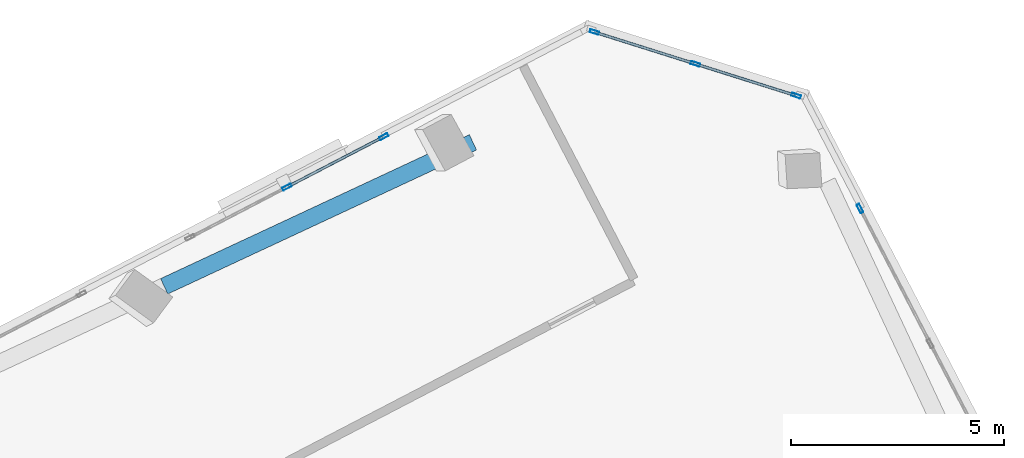
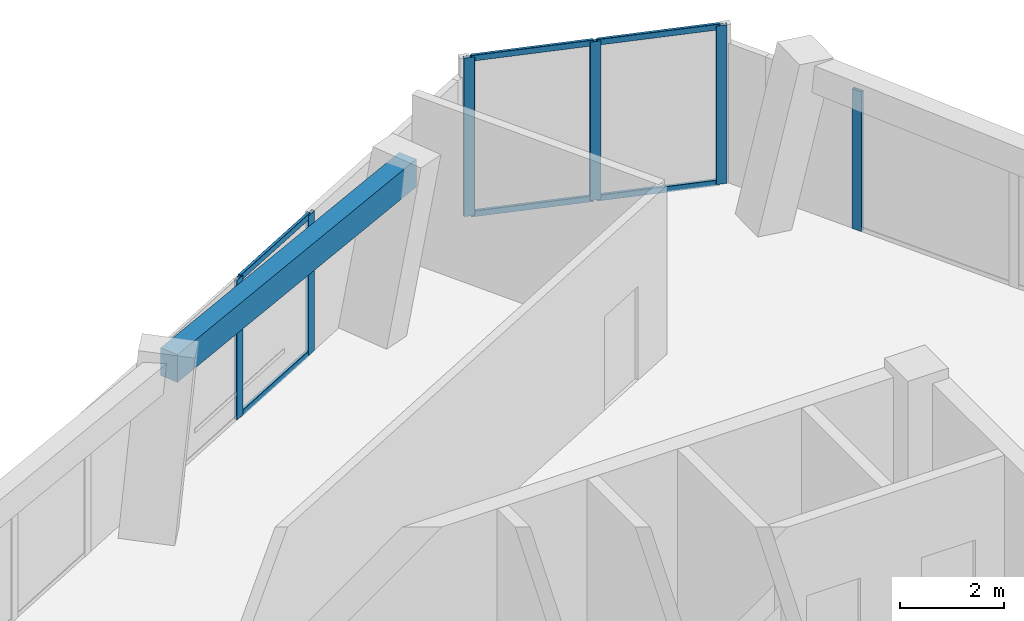
# One storey, part 9 of 16: 12 members, 1 beam, 3 elements without a shape of their own.
"""IFC4 building model written with IfcOpenShell, lengths in metres."""

from ifc_helpers import new_model, si_unit, direction, frame, origin, origin_2d, place, context, subcontext, project, spatial, rectangle, hollow_rectangle, extrude, source, transform, mapped, material, material_profile, profile_set, type_object, element, aggregate, save


model = new_model("IFC4")

# Units and contexts
model_context = context("Model", 3, precision=1e-05, world=origin(), true_north=direction((0.0, 1.0)))
body_context = subcontext(model_context, "Body", "Model", "MODEL_VIEW")
ifc_project = project(units=[si_unit("LENGTHUNIT", "METRE"), si_unit("AREAUNIT", "SQUARE_METRE"), si_unit("VOLUMEUNIT", "CUBIC_METRE"), si_unit("PLANEANGLEUNIT", "RADIAN"), si_unit("MASSUNIT", "GRAM", prefix="KILO")], contexts=[model_context])

# Site, building, storey
site_placement = place(None, origin())
site = spatial("IfcSite", under=ifc_project, at=site_placement, CompositionType="ELEMENT")
building_placement = place(site_placement, origin())
building = spatial("IfcBuilding", under=site, at=building_placement, Name="Torre Montelarca", CompositionType="ELEMENT")
storey_placement = place(building_placement, frame((0.0, 0.0, 336.60009765625)))
storey = spatial("IfcBuildingStorey", under=building, at=storey_placement, Name="L76", CompositionType="ELEMENT", Elevation=336.60009765625)

# Beam
ifc_material_1 = material(Name="Concrete C40/50", Category="concrete")
ifc_material_profile_1 = material_profile(ifc_material_1, rectangle(XDim=0.39990234375, YDim=0.64990234375, at=origin_2d()), Name="RCB400X650", Category="concrete")
ifc_profile_set_1 = profile_set([ifc_material_profile_1], Name="Concrete C40/50")
beam_type = type_object("IfcBeamType", Name="BM-SP-RC650-EXT", PredefinedType="SPANDREL", material=ifc_profile_set_1)
shared_shape_1 = source(origin(), body_context, "Body", "SweptSolid", [
    extrude(rectangle(XDim=0.39990234375, YDim=0.64990234375, at=origin_2d()), origin(), (0.0, 0.0, 1.0), 8.0),
])
beam_placement = place(storey_placement, frame((14.37890625, 47.271240234375, 3.635009765625), z_axis=(0.906312519031, 0.422608113797, 0.0), x_axis=(-0.422608113797, 0.906312519031, 0.0)))
element("IfcBeam", 1, at=beam_placement, inside=storey, type_object=beam_type, Name="L76 Grid Girder Y 32.0-40.0 at X=4.7", PredefinedType="SPANDREL", context=body_context, shape_type="MappedRepresentation", body=[
    mapped(shared_shape_1, transform((0.0, 0.0, 0.0), scale=1.0)),
])

# Curtain wall, members
ifc_material_2 = material(Name="Insulated low-E laminated glass", Category="glass")
curtain_wall_type = type_object("IfcCurtainWallType", Name="CW-SYS-Z4", PredefinedType="USERDEFINED", material=ifc_material_2)
curtain_wall_1_placement = place(storey_placement, origin())
curtain_wall_1 = element("IfcCurtainWall", 2, at=curtain_wall_1_placement, inside=storey, type_object=curtain_wall_type, Name="L76 Curtain Wall Run CW-T3-L76-E09-B1", ObjectType="UNITISED GLAZING", PredefinedType="USERDEFINED")
ifc_material_3 = material(Name="Anodised aluminium AA 6063-T6", Category="aluminium")
ifc_material_profile_2 = material_profile(ifc_material_3, hollow_rectangle(XDim=0.074951171875, YDim=0.219970703125, WallThickness=0.0048828125, InnerFilletRadius=0.0048828125, OuterFilletRadius=0.010009765625, at=origin_2d()), Name="ALU75X220X5", Category="aluminium")
ifc_profile_set_2 = profile_set([ifc_material_profile_2], Name="Anodised aluminium AA 6063-T6")
member_type_1 = type_object("IfcMemberType", Name="CWM-ALU220", PredefinedType="MULLION", material=ifc_profile_set_2)
shared_shape_2 = source(origin(), body_context, "Body", "SweptSolid", [
    extrude(hollow_rectangle(XDim=0.074951171875, YDim=0.219970703125, WallThickness=0.0048828125, InnerFilletRadius=0.0048828125, OuterFilletRadius=0.010009765625, at=origin_2d()), origin(), (0.0, 0.0, 1.0), 3.719970703125),
])
member_1_placement = place(storey_placement, frame((29.21826171875, 51.7470703125, 0.0), z_axis=(0.0, 0.0, 1.0), x_axis=(-0.300692834013, -0.953721038655, 0.0)))
member_1 = element("IfcMember", 3, at=member_1_placement, type_object=member_type_1, Name="CW mullion 1", PredefinedType="MULLION", context=body_context, shape_type="MappedRepresentation", body=[
    mapped(shared_shape_2, transform((0.0, 0.0, 0.0), scale=1.0)),
])
member_2_placement = place(storey_placement, frame((26.849609375, 52.493896484375, 0.0), z_axis=(0.0, 0.0, 1.0), x_axis=(-0.300692834013, -0.953721038655, 0.0)))
member_2 = element("IfcMember", 4, at=member_2_placement, type_object=member_type_1, Name="CW mullion 2", PredefinedType="MULLION", context=body_context, shape_type="MappedRepresentation", body=[
    mapped(shared_shape_2, transform((0.0, 0.0, 0.0), scale=1.0)),
])
member_3_placement = place(storey_placement, frame((24.48095703125, 53.24072265625, 0.0), z_axis=(0.0, 0.0, 1.0), x_axis=(-0.300692834013, -0.953721038655, 0.0)))
member_3 = element("IfcMember", 5, at=member_3_placement, type_object=member_type_1, Name="CW mullion 3", PredefinedType="MULLION", context=body_context, shape_type="MappedRepresentation", body=[
    mapped(shared_shape_2, transform((0.0, 0.0, 0.0), scale=1.0)),
])
ifc_material_profile_3 = material_profile(ifc_material_3, hollow_rectangle(XDim=0.06494140625, YDim=0.139892578125, WallThickness=0.00390625, InnerFilletRadius=0.00390625, OuterFilletRadius=0.008056640625, at=origin_2d()), Name="ALU65X140X4", Category="aluminium")
ifc_profile_set_3 = profile_set([ifc_material_profile_3], Name="Anodised aluminium AA 6063-T6")
member_type_2 = type_object("IfcMemberType", Name="CWT-ALU140", PredefinedType="USERDEFINED", material=ifc_profile_set_3)
shared_shape_3 = source(origin(), body_context, "Body", "SweptSolid", [
    extrude(hollow_rectangle(XDim=0.06494140625, YDim=0.139892578125, WallThickness=0.00390625, InnerFilletRadius=0.00390625, OuterFilletRadius=0.008056640625, at=origin_2d()), origin(), (0.0, 0.0, 1.0), 2.40869140625),
])
member_4_placement = place(storey_placement, frame((29.1826171875, 51.75830078125, 0.032470703125), z_axis=(-0.953744897791, 0.300617148443, 0.0), x_axis=(-0.300617148443, -0.953744897791, 0.0)))
member_4 = element("IfcMember", 6, at=member_4_placement, type_object=member_type_2, Name="CW transom 1.1", ObjectType="TRANSOM", PredefinedType="USERDEFINED", context=body_context, shape_type="MappedRepresentation", body=[
    mapped(shared_shape_3, transform((0.0, 0.0, 0.0), scale=1.0)),
])
member_5_placement = place(storey_placement, frame((29.1826171875, 51.75830078125, 3.6875), z_axis=(-0.953744897791, 0.300617148443, 0.0), x_axis=(-0.300617148443, -0.953744897791, 0.0)))
member_5 = element("IfcMember", 7, at=member_5_placement, type_object=member_type_2, Name="CW transom 1.2", ObjectType="TRANSOM", PredefinedType="USERDEFINED", context=body_context, shape_type="MappedRepresentation", body=[
    mapped(shared_shape_3, transform((0.0, 0.0, 0.0), scale=1.0)),
])
shared_shape_4 = source(origin(), body_context, "Body", "SweptSolid", [
    extrude(hollow_rectangle(XDim=0.06494140625, YDim=0.139892578125, WallThickness=0.00390625, InnerFilletRadius=0.00390625, OuterFilletRadius=0.008056640625, at=origin_2d()), origin(), (0.0, 0.0, 1.0), 2.408447265625),
])
member_6_placement = place(storey_placement, frame((26.813720703125, 52.505126953125, 0.032470703125), z_axis=(-0.953735736998, 0.300646210642, 0.0), x_axis=(-0.300646210642, -0.953735736998, 0.0)))
member_6 = element("IfcMember", 8, at=member_6_placement, type_object=member_type_2, Name="CW transom 2.1", ObjectType="TRANSOM", PredefinedType="USERDEFINED", context=body_context, shape_type="MappedRepresentation", body=[
    mapped(shared_shape_4, transform((0.0, 0.0, 0.0), scale=1.0)),
])
member_7_placement = place(storey_placement, frame((26.813720703125, 52.505126953125, 3.6875), z_axis=(-0.953735736998, 0.300646210642, 0.0), x_axis=(-0.300646210642, -0.953735736998, 0.0)))
member_7 = element("IfcMember", 9, at=member_7_placement, type_object=member_type_2, Name="CW transom 2.2", ObjectType="TRANSOM", PredefinedType="USERDEFINED", context=body_context, shape_type="MappedRepresentation", body=[
    mapped(shared_shape_4, transform((0.0, 0.0, 0.0), scale=1.0)),
])
aggregate(curtain_wall_1, [member_1, member_2, member_3, member_4, member_5, member_6, member_7])

# Curtain wall, member
curtain_wall_2_placement = place(storey_placement, origin())
curtain_wall_2 = element("IfcCurtainWall", 10, at=curtain_wall_2_placement, inside=storey, type_object=curtain_wall_type, Name="L76 Curtain Wall Run CW-T3-L76-E08-B2", ObjectType="UNITISED GLAZING", PredefinedType="USERDEFINED")
shared_shape_5 = source(origin(), body_context, "Body", "SweptSolid", [
    extrude(hollow_rectangle(XDim=0.074951171875, YDim=0.219970703125, WallThickness=0.0048828125, InnerFilletRadius=0.0048828125, OuterFilletRadius=0.010009765625, at=origin_2d()), origin(), (0.0, 0.0, 1.0), 3.27490234375),
])
member_8_placement = place(storey_placement, frame((30.716796875, 49.097412109375, 0.0), z_axis=(0.0, 0.0, 1.0), x_axis=(-0.887012265498, -0.461745861764, 0.0)))
member_8 = element("IfcMember", 11, at=member_8_placement, type_object=member_type_1, Name="CW mullion 3", PredefinedType="MULLION", context=body_context, shape_type="MappedRepresentation", body=[
    mapped(shared_shape_5, transform((0.0, 0.0, 0.0), scale=1.0)),
])
aggregate(curtain_wall_2, [member_8])

# Curtain wall, members
curtain_wall_3_placement = place(storey_placement, origin())
curtain_wall_3 = element("IfcCurtainWall", 12, at=curtain_wall_3_placement, inside=storey, type_object=curtain_wall_type, Name="L76 Curtain Wall Run CW-T3-L76-E10-B1", ObjectType="UNITISED GLAZING", PredefinedType="USERDEFINED")
member_9_placement = place(storey_placement, frame((19.5361328125, 50.785888671875, 0.0), z_axis=(0.0, 0.0, 1.0), x_axis=(0.461755572898, -0.887007210172, 0.0)))
member_9 = element("IfcMember", 13, at=member_9_placement, type_object=member_type_1, Name="CW mullion 1", PredefinedType="MULLION", context=body_context, shape_type="MappedRepresentation", body=[
    mapped(shared_shape_5, transform((0.0, 0.0, 0.0), scale=1.0)),
])
member_10_placement = place(storey_placement, frame((17.260986328125, 49.6015625, 0.0), z_axis=(0.0, 0.0, 1.0), x_axis=(0.461755572898, -0.887007210172, 0.0)))
member_10 = element("IfcMember", 14, at=member_10_placement, type_object=member_type_1, Name="CW mullion 2", PredefinedType="MULLION", context=body_context, shape_type="MappedRepresentation", body=[
    mapped(shared_shape_5, transform((0.0, 0.0, 0.0), scale=1.0)),
])
shared_shape_6 = source(origin(), body_context, "Body", "SweptSolid", [
    extrude(hollow_rectangle(XDim=0.06494140625, YDim=0.139892578125, WallThickness=0.00390625, InnerFilletRadius=0.00390625, OuterFilletRadius=0.008056640625, at=origin_2d()), origin(), (0.0, 0.0, 1.0), 2.48974609375),
])
member_11_placement = place(storey_placement, frame((19.5029296875, 50.7685546875, 0.032470703125), z_axis=(-0.887012822733, -0.461744791316, 0.0), x_axis=(0.461744791316, -0.887012822733, 0.0)))
member_11 = element("IfcMember", 15, at=member_11_placement, type_object=member_type_2, Name="CW transom 1.1", ObjectType="TRANSOM", PredefinedType="USERDEFINED", context=body_context, shape_type="MappedRepresentation", body=[
    mapped(shared_shape_6, transform((0.0, 0.0, 0.0), scale=1.0)),
])
member_12_placement = place(storey_placement, frame((19.5029296875, 50.7685546875, 3.242431640625), z_axis=(-0.887012822733, -0.461744791316, 0.0), x_axis=(0.461744791316, -0.887012822733, 0.0)))
member_12 = element("IfcMember", 16, at=member_12_placement, type_object=member_type_2, Name="CW transom 1.2", ObjectType="TRANSOM", PredefinedType="USERDEFINED", context=body_context, shape_type="MappedRepresentation", body=[
    mapped(shared_shape_6, transform((0.0, 0.0, 0.0), scale=1.0)),
])
aggregate(curtain_wall_3, [member_9, member_10, member_11, member_12])

save(model, "model.ifc")
